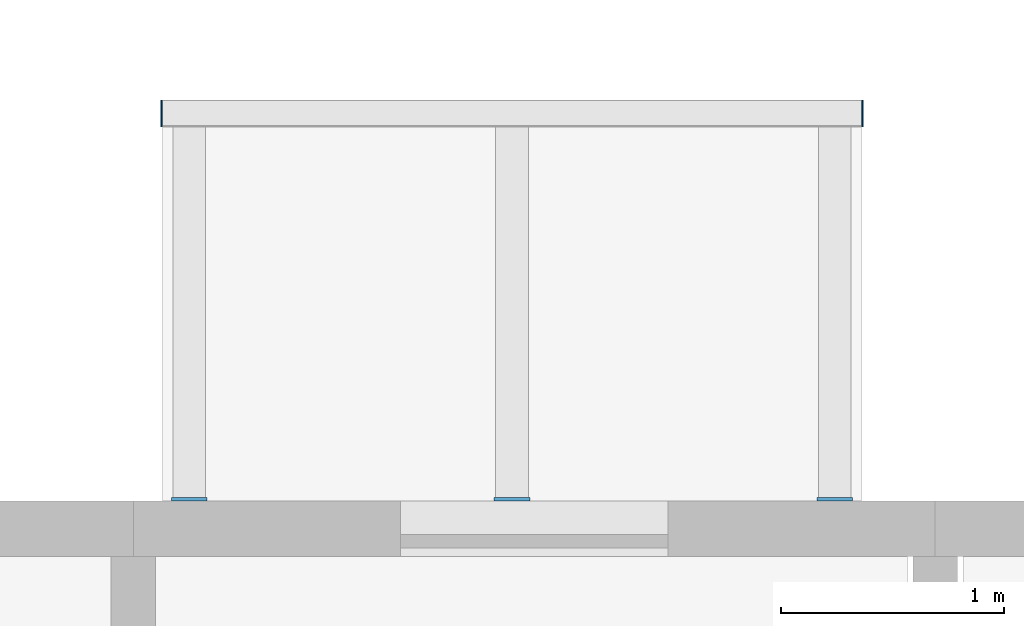
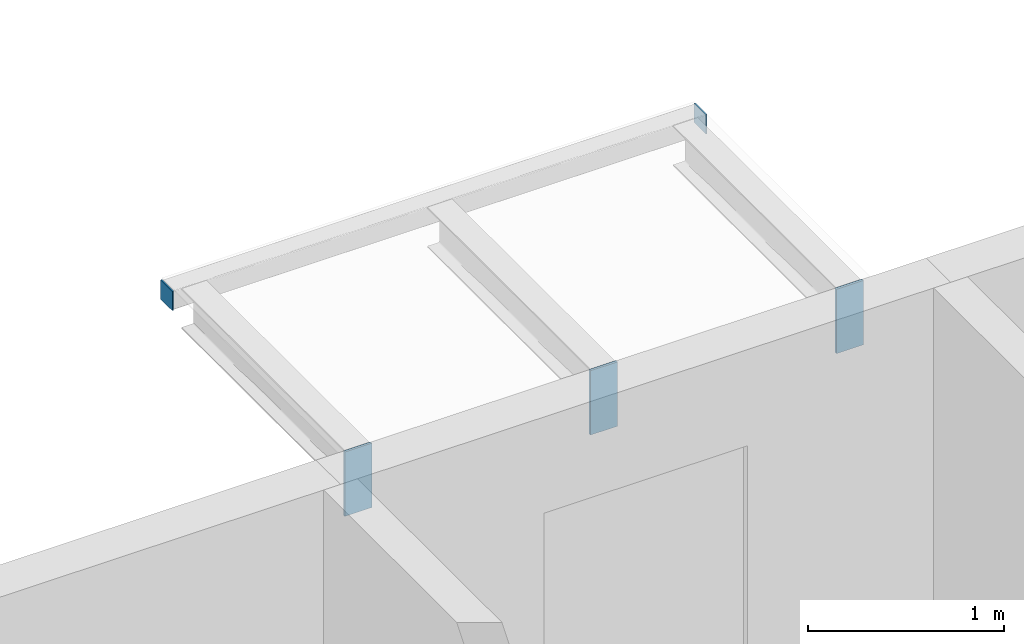
# One storey, part 64 of 94: 5 discrete accessories.
"""IFC4 building model written with IfcOpenShell, lengths in metres."""

from ifc_helpers import new_model, si_unit, direction, frame, origin, origin_2d, place, context, subcontext, project, spatial, rectangle, extrude, material, layer, layer_set, type_object, element, save


model = new_model("IFC4")

# Units and contexts
model_context = context("Model", 3, precision=1e-05, world=origin(), true_north=direction((0.0, 1.0)))
body_context = subcontext(model_context, "Body", "Model", "MODEL_VIEW")
ifc_project = project(units=[si_unit("LENGTHUNIT", "METRE"), si_unit("AREAUNIT", "SQUARE_METRE"), si_unit("VOLUMEUNIT", "CUBIC_METRE"), si_unit("PLANEANGLEUNIT", "RADIAN"), si_unit("MASSUNIT", "GRAM", prefix="KILO")], contexts=[model_context])

# Site, building, storey
site_placement = place(None, origin())
site = spatial("IfcSite", under=ifc_project, at=site_placement, CompositionType="ELEMENT")
building_placement = place(site_placement, origin())
building = spatial("IfcBuilding", under=site, at=building_placement, Name="Ridgestep Commons", CompositionType="ELEMENT")
storey_placement = place(building_placement, frame((0.0, 0.0, 21.0)))
storey = spatial("IfcBuildingStorey", under=building, at=storey_placement, Name="L07", CompositionType="ELEMENT", Elevation=21.0)

# Discrete accessories
ifc_material_1 = material(Name="Weathering steel S355J2W", Category="steel")
ifc_layer_1 = layer(ifc_material_1, 0.014892578125)
ifc_layer_set_1 = layer_set([ifc_layer_1], Name="Tray bracket plate 15")
discrete_accessory_type_1 = type_object("IfcDiscreteAccessoryType", Name="Tray bracket plate 15", PredefinedType="BRACKET", material=ifc_layer_set_1)
for number, where, z_axis, x_axis, name in (
    (1, (83.050048828125, 23.007568359375, 2.588623046875), (0.0, 0.0, 1.0), (1.0, 0.0, 0.0), "Tray bracket A5T2-08.1"),
    (2, (84.5, 23.007568359375, 2.588623046875), (0.0, 0.0, 1.0), (1.0, 0.0, 0.0), "Tray bracket A5T2-08.2"),
    (3, (85.949951171875, 23.007568359375, 2.588623046875), (0.0, 0.0, 1.0), (1.0, 0.0, 0.0), "Tray bracket A5T2-08.3"),
):
    element("IfcDiscreteAccessory", number, at=place(storey_placement, frame(where, z_axis=z_axis, x_axis=x_axis)), inside=storey, type_object=discrete_accessory_type_1, Name=name, PredefinedType="BRACKET", context=body_context, shape_type="SweptSolid", body=[
        extrude(rectangle(XDim=0.159912109375, YDim=0.014892578125, at=origin_2d()), origin(), (0.0, 0.0, 1.0), 0.4013671875),
    ])
ifc_material_2 = material(Name="Weathering steel S355J2W", Category="steel")
ifc_layer_2 = layer(ifc_material_2, 0.008056640625)
ifc_layer_set_2 = layer_set([ifc_layer_2], Name="Tray edge member end plate 120 x 120 x 8")
discrete_accessory_type_2 = type_object("IfcDiscreteAccessoryType", Name="Tray edge member end plate 120 x 120 x 8", PredefinedType="BRACKET", material=ifc_layer_set_2)
for number, where, z_axis, x_axis, name in (
    (4, (82.926025390625, 24.739990234375, 2.869873046875), (0.0, 0.0, 1.0), (1.0, 0.0, 0.0), "Tray edge member end plate A5T2-08 west"),
    (5, (86.073974609375, 24.739990234375, 2.869873046875), (0.0, 0.0, 1.0), (1.0, 0.0, 0.0), "Tray edge member end plate A5T2-08 east"),
):
    element("IfcDiscreteAccessory", number, at=place(storey_placement, frame(where, z_axis=z_axis, x_axis=x_axis)), inside=storey, type_object=discrete_accessory_type_2, Name=name, PredefinedType="BRACKET", context=body_context, shape_type="SweptSolid", body=[
        extrude(rectangle(XDim=0.008056640625, YDim=0.1201171875, at=origin_2d()), origin(), (0.0, 0.0, 1.0), 0.1201171875),
    ])

save(model, "model.ifc")
